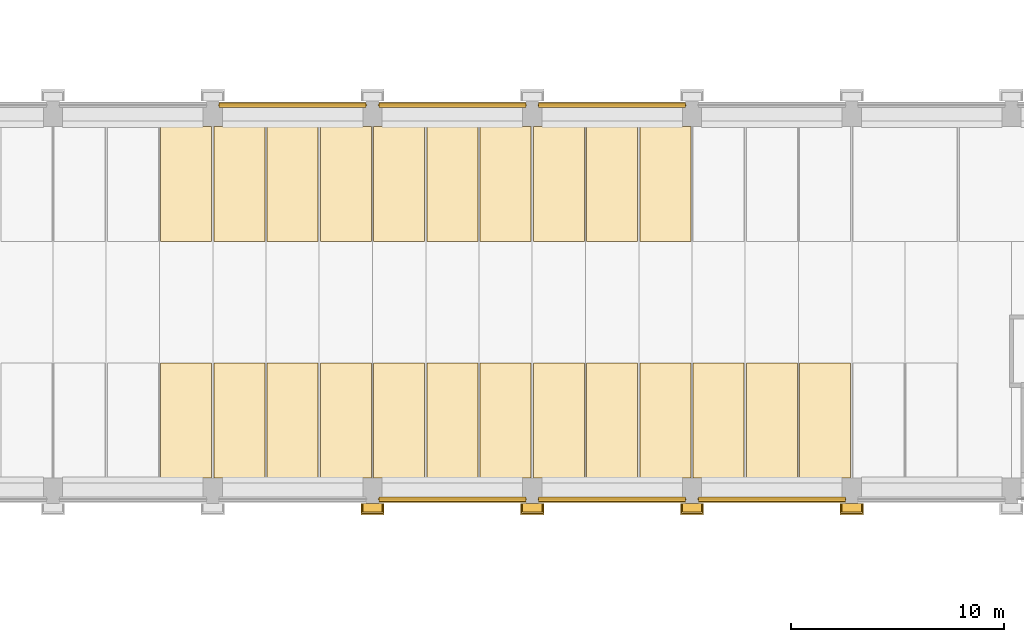
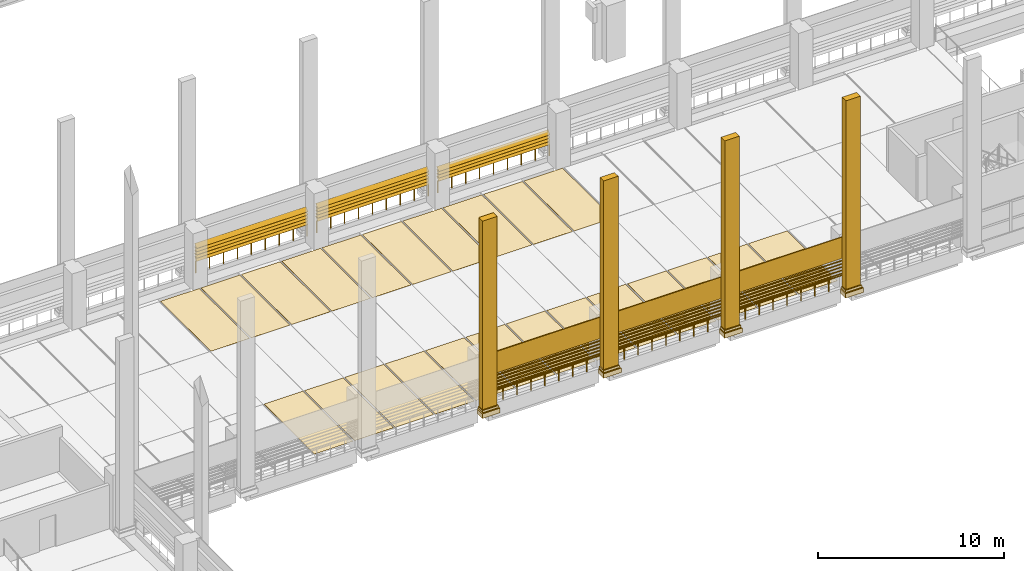
# One storey, part 48 of 67: 38 coverings, 29 shading devices, 6 railings.
"""IFC4 building model written with IfcOpenShell, lengths in metres."""

from ifc_helpers import new_model, si_unit, direction, frame, origin, origin_2d, place, context, subcontext, project, spatial, polyline, circle, outline, extrude, material, layer, layer_set, type_object, element, save


model = new_model("IFC4")

# Units and contexts
model_context = context("Model", 3, precision=1e-05, world=origin(), true_north=direction((0.0, 1.0)))
body_context = subcontext(model_context, "Body", "Model", "MODEL_VIEW")
ifc_project = project(units=[si_unit("LENGTHUNIT", "METRE"), si_unit("AREAUNIT", "SQUARE_METRE"), si_unit("VOLUMEUNIT", "CUBIC_METRE"), si_unit("PLANEANGLEUNIT", "RADIAN"), si_unit("MASSUNIT", "GRAM", prefix="KILO")], contexts=[model_context])

# Site, building, storey
site_placement = place(None, origin())
site = spatial("IfcSite", under=ifc_project, at=site_placement, CompositionType="ELEMENT")
building_placement = place(site_placement, origin())
building = spatial("IfcBuilding", under=site, at=building_placement, Name="Cour d'Honneur Mobility Palace", CompositionType="ELEMENT")
storey_placement = place(building_placement, frame((0.0, 0.0, 4.5)))
storey = spatial("IfcBuildingStorey", under=building, at=storey_placement, Name="L01", CompositionType="ELEMENT", Elevation=4.5)

# Railings
ifc_material_1 = material(Name="Painted steel", Category="steel")
railing_type = type_object("IfcRailingType", Name="Balustrade", PredefinedType="BALUSTRADE", material=ifc_material_1)
for number, where, name in (
    (1, (40.199951171875, 44.449951171875, 0.300048828125), "Balustrade BAL-12"),
    (2, (47.699951171875, 44.449951171875, 0.300048828125), "Balustrade BAL-13"),
    (3, (55.199951171875, 44.449951171875, 0.300048828125), "Balustrade BAL-14"),
):
    element("IfcRailing", number, at=place(storey_placement, frame(where)), inside=storey, type_object=railing_type, Name=name, PredefinedType="BALUSTRADE", context=body_context, shape_type="SweptSolid", body=[
        extrude(circle(Radius=0.02392578125, at=origin_2d()), frame((0.0, 0.0, 0.77587890625), z_axis=(1.0, 0.0, 0.0), x_axis=(0.0, 1.0, 0.0)), (0.0, 0.0, 1.0), 6.900146484375),
        extrude(circle(Radius=0.02099609375, at=origin_2d()), origin(), (0.0, 0.0, 1.0), 0.751953125),
        extrude(circle(Radius=0.02099609375, at=origin_2d()), frame((0.862548828125, 0.0, 0.0)), (0.0, 0.0, 1.0), 0.751953125),
        extrude(circle(Radius=0.02099609375, at=origin_2d()), frame((1.72509765625, 0.0, 0.0)), (0.0, 0.0, 1.0), 0.751953125),
        extrude(circle(Radius=0.02099609375, at=origin_2d()), frame((2.587646484375, 0.0, 0.0)), (0.0, 0.0, 1.0), 0.751953125),
        extrude(circle(Radius=0.02099609375, at=origin_2d()), frame((3.4501953125, 0.0, 0.0)), (0.0, 0.0, 1.0), 0.751953125),
        extrude(circle(Radius=0.02099609375, at=origin_2d()), frame((4.3125, 0.0, 0.0)), (0.0, 0.0, 1.0), 0.751953125),
        extrude(circle(Radius=0.02099609375, at=origin_2d()), frame((5.175048828125, 0.0, 0.0)), (0.0, 0.0, 1.0), 0.751953125),
        extrude(circle(Radius=0.02099609375, at=origin_2d()), frame((6.03759765625, 0.0, 0.0)), (0.0, 0.0, 1.0), 0.751953125),
        extrude(circle(Radius=0.02099609375, at=origin_2d()), frame((6.900146484375, 0.0, 0.0)), (0.0, 0.0, 1.0), 0.751953125),
    ])
for number, where, name in (
    (4, (54.60009765625, 62.949951171875, 0.300048828125), "Balustrade BAL-52"),
    (5, (47.10009765625, 62.949951171875, 0.300048828125), "Balustrade BAL-53"),
    (6, (39.60009765625, 62.949951171875, 0.300048828125), "Balustrade BAL-54"),
):
    element("IfcRailing", number, at=place(storey_placement, frame(where)), inside=storey, type_object=railing_type, Name=name, PredefinedType="BALUSTRADE", context=body_context, shape_type="SweptSolid", body=[
        extrude(circle(Radius=0.02392578125, at=origin_2d()), frame((0.0, 0.0, 0.77587890625), z_axis=(-1.0, 0.0, 0.0), x_axis=(0.0, -1.0, 0.0)), (0.0, 0.0, 1.0), 6.900146484375),
        extrude(circle(Radius=0.02099609375, at=origin_2d()), origin(), (0.0, 0.0, 1.0), 0.751953125),
        extrude(circle(Radius=0.02099609375, at=origin_2d()), frame((-0.862548828125, 0.0, 0.0)), (0.0, 0.0, 1.0), 0.751953125),
        extrude(circle(Radius=0.02099609375, at=origin_2d()), frame((-1.72509765625, 0.0, 0.0)), (0.0, 0.0, 1.0), 0.751953125),
        extrude(circle(Radius=0.02099609375, at=origin_2d()), frame((-2.587646484375, 0.0, 0.0)), (0.0, 0.0, 1.0), 0.751953125),
        extrude(circle(Radius=0.02099609375, at=origin_2d()), frame((-3.4501953125, 0.0, 0.0)), (0.0, 0.0, 1.0), 0.751953125),
        extrude(circle(Radius=0.02099609375, at=origin_2d()), frame((-4.3125, 0.0, 0.0)), (0.0, 0.0, 1.0), 0.751953125),
        extrude(circle(Radius=0.02099609375, at=origin_2d()), frame((-5.175048828125, 0.0, 0.0)), (0.0, 0.0, 1.0), 0.751953125),
        extrude(circle(Radius=0.02099609375, at=origin_2d()), frame((-6.03759765625, 0.0, 0.0)), (0.0, 0.0, 1.0), 0.751953125),
        extrude(circle(Radius=0.02099609375, at=origin_2d()), frame((-6.900146484375, 0.0, 0.0)), (0.0, 0.0, 1.0), 0.751953125),
    ])

# Coverings
ifc_material_2 = material(Name="Parking marking paint")
ifc_layer_1 = layer(ifc_material_2, 0.0048828125)
ifc_layer_set_1 = layer_set([ifc_layer_1], Name="Parking marking paint")
covering_type_1 = type_object("IfcCoveringType", Name="Parking bay marking", PredefinedType="FLOORING", material=ifc_layer_set_1)
covering_1_placement = place(storey_placement, origin())
element("IfcCovering", 7, at=covering_1_placement, inside=storey, type_object=covering_type_1, Name="Parking bay marking L01 2", PredefinedType="FLOORING", context=body_context, shape_type="SweptSolid", body=[
    extrude(outline(polyline([(42.35009765625, 56.550048828125), (39.949951171875, 56.550048828125), (39.949951171875, 61.949951171875), (42.35009765625, 61.949951171875), (42.35009765625, 56.550048828125)])), origin(), (0.0, 0.0, 1.0), 0.0048828125),
])
covering_2_placement = place(storey_placement, origin())
element("IfcCovering", 8, at=covering_2_placement, inside=storey, type_object=covering_type_1, Name="Parking bay marking L01 3", PredefinedType="FLOORING", context=body_context, shape_type="SweptSolid", body=[
    extrude(outline(polyline([(44.85009765625, 56.550048828125), (42.449951171875, 56.550048828125), (42.449951171875, 61.949951171875), (44.85009765625, 61.949951171875), (44.85009765625, 56.550048828125)])), origin(), (0.0, 0.0, 1.0), 0.0048828125),
])
covering_3_placement = place(storey_placement, origin())
element("IfcCovering", 9, at=covering_3_placement, inside=storey, type_object=covering_type_1, Name="Parking bay marking L01 4", PredefinedType="FLOORING", context=body_context, shape_type="SweptSolid", body=[
    extrude(outline(polyline([(47.35009765625, 56.550048828125), (44.949951171875, 56.550048828125), (44.949951171875, 61.949951171875), (47.35009765625, 61.949951171875), (47.35009765625, 56.550048828125)])), origin(), (0.0, 0.0, 1.0), 0.0048828125),
])
covering_4_placement = place(storey_placement, origin())
element("IfcCovering", 10, at=covering_4_placement, inside=storey, type_object=covering_type_1, Name="Parking bay marking L01 5", PredefinedType="FLOORING", context=body_context, shape_type="SweptSolid", body=[
    extrude(outline(polyline([(49.85009765625, 56.550048828125), (47.449951171875, 56.550048828125), (47.449951171875, 61.949951171875), (49.85009765625, 61.949951171875), (49.85009765625, 56.550048828125)])), origin(), (0.0, 0.0, 1.0), 0.0048828125),
])
covering_5_placement = place(storey_placement, origin())
element("IfcCovering", 11, at=covering_5_placement, inside=storey, type_object=covering_type_1, Name="Parking bay marking L01 6", PredefinedType="FLOORING", context=body_context, shape_type="SweptSolid", body=[
    extrude(outline(polyline([(52.35009765625, 56.550048828125), (49.949951171875, 56.550048828125), (49.949951171875, 61.949951171875), (52.35009765625, 61.949951171875), (52.35009765625, 56.550048828125)])), origin(), (0.0, 0.0, 1.0), 0.0048828125),
])
covering_6_placement = place(storey_placement, origin())
element("IfcCovering", 12, at=covering_6_placement, inside=storey, type_object=covering_type_1, Name="Parking bay marking L01 7", PredefinedType="FLOORING", context=body_context, shape_type="SweptSolid", body=[
    extrude(outline(polyline([(54.85009765625, 56.550048828125), (52.449951171875, 56.550048828125), (52.449951171875, 61.949951171875), (54.85009765625, 61.949951171875), (54.85009765625, 56.550048828125)])), origin(), (0.0, 0.0, 1.0), 0.0048828125),
])
covering_7_placement = place(storey_placement, origin())
element("IfcCovering", 13, at=covering_7_placement, inside=storey, type_object=covering_type_1, Name="Parking bay marking L01 33", PredefinedType="FLOORING", context=body_context, shape_type="SweptSolid", body=[
    extrude(outline(polyline([(32.35009765625, 56.550048828125), (29.949951171875, 56.550048828125), (29.949951171875, 61.949951171875), (32.35009765625, 61.949951171875), (32.35009765625, 56.550048828125)])), origin(), (0.0, 0.0, 1.0), 0.0048828125),
])
covering_8_placement = place(storey_placement, origin())
element("IfcCovering", 14, at=covering_8_placement, inside=storey, type_object=covering_type_1, Name="Parking bay marking L01 34", PredefinedType="FLOORING", context=body_context, shape_type="SweptSolid", body=[
    extrude(outline(polyline([(34.85009765625, 56.550048828125), (32.449951171875, 56.550048828125), (32.449951171875, 61.949951171875), (34.85009765625, 61.949951171875), (34.85009765625, 56.550048828125)])), origin(), (0.0, 0.0, 1.0), 0.0048828125),
])
covering_9_placement = place(storey_placement, origin())
element("IfcCovering", 15, at=covering_9_placement, inside=storey, type_object=covering_type_1, Name="Parking bay marking L01 35", PredefinedType="FLOORING", context=body_context, shape_type="SweptSolid", body=[
    extrude(outline(polyline([(37.35009765625, 56.550048828125), (34.949951171875, 56.550048828125), (34.949951171875, 61.949951171875), (37.35009765625, 61.949951171875), (37.35009765625, 56.550048828125)])), origin(), (0.0, 0.0, 1.0), 0.0048828125),
])
covering_10_placement = place(storey_placement, origin())
element("IfcCovering", 16, at=covering_10_placement, inside=storey, type_object=covering_type_1, Name="Parking bay marking L01 36", PredefinedType="FLOORING", context=body_context, shape_type="SweptSolid", body=[
    extrude(outline(polyline([(39.85009765625, 56.550048828125), (37.449951171875, 56.550048828125), (37.449951171875, 61.949951171875), (39.85009765625, 61.949951171875), (39.85009765625, 56.550048828125)])), origin(), (0.0, 0.0, 1.0), 0.0048828125),
])
covering_11_placement = place(storey_placement, origin())
element("IfcCovering", 17, at=covering_11_placement, inside=storey, type_object=covering_type_1, Name="Parking bay marking L01 37", PredefinedType="FLOORING", context=body_context, shape_type="SweptSolid", body=[
    extrude(outline(polyline([(42.35009765625, 45.449951171875), (39.949951171875, 45.449951171875), (39.949951171875, 50.85009765625), (42.35009765625, 50.85009765625), (42.35009765625, 45.449951171875)])), origin(), (0.0, 0.0, 1.0), 0.0048828125),
])
covering_12_placement = place(storey_placement, origin())
element("IfcCovering", 18, at=covering_12_placement, inside=storey, type_object=covering_type_1, Name="Parking bay marking L01 38", PredefinedType="FLOORING", context=body_context, shape_type="SweptSolid", body=[
    extrude(outline(polyline([(44.85009765625, 45.449951171875), (42.449951171875, 45.449951171875), (42.449951171875, 50.85009765625), (44.85009765625, 50.85009765625), (44.85009765625, 45.449951171875)])), origin(), (0.0, 0.0, 1.0), 0.0048828125),
])
covering_13_placement = place(storey_placement, origin())
element("IfcCovering", 19, at=covering_13_placement, inside=storey, type_object=covering_type_1, Name="Parking bay marking L01 39", PredefinedType="FLOORING", context=body_context, shape_type="SweptSolid", body=[
    extrude(outline(polyline([(47.35009765625, 45.449951171875), (44.949951171875, 45.449951171875), (44.949951171875, 50.85009765625), (47.35009765625, 50.85009765625), (47.35009765625, 45.449951171875)])), origin(), (0.0, 0.0, 1.0), 0.0048828125),
])
covering_14_placement = place(storey_placement, origin())
element("IfcCovering", 20, at=covering_14_placement, inside=storey, type_object=covering_type_1, Name="Parking bay marking L01 40", PredefinedType="FLOORING", context=body_context, shape_type="SweptSolid", body=[
    extrude(outline(polyline([(49.85009765625, 45.449951171875), (47.449951171875, 45.449951171875), (47.449951171875, 50.85009765625), (49.85009765625, 50.85009765625), (49.85009765625, 45.449951171875)])), origin(), (0.0, 0.0, 1.0), 0.0048828125),
])
covering_15_placement = place(storey_placement, origin())
element("IfcCovering", 21, at=covering_15_placement, inside=storey, type_object=covering_type_1, Name="Parking bay marking L01 41", PredefinedType="FLOORING", context=body_context, shape_type="SweptSolid", body=[
    extrude(outline(polyline([(52.35009765625, 45.449951171875), (49.949951171875, 45.449951171875), (49.949951171875, 50.85009765625), (52.35009765625, 50.85009765625), (52.35009765625, 45.449951171875)])), origin(), (0.0, 0.0, 1.0), 0.0048828125),
])
covering_16_placement = place(storey_placement, origin())
element("IfcCovering", 22, at=covering_16_placement, inside=storey, type_object=covering_type_1, Name="Parking bay marking L01 42", PredefinedType="FLOORING", context=body_context, shape_type="SweptSolid", body=[
    extrude(outline(polyline([(54.85009765625, 45.449951171875), (52.449951171875, 45.449951171875), (52.449951171875, 50.85009765625), (54.85009765625, 50.85009765625), (54.85009765625, 45.449951171875)])), origin(), (0.0, 0.0, 1.0), 0.0048828125),
])
covering_17_placement = place(storey_placement, origin())
element("IfcCovering", 23, at=covering_17_placement, inside=storey, type_object=covering_type_1, Name="Parking bay marking L01 43", PredefinedType="FLOORING", context=body_context, shape_type="SweptSolid", body=[
    extrude(outline(polyline([(57.35009765625, 45.449951171875), (54.949951171875, 45.449951171875), (54.949951171875, 50.85009765625), (57.35009765625, 50.85009765625), (57.35009765625, 45.449951171875)])), origin(), (0.0, 0.0, 1.0), 0.0048828125),
])
covering_18_placement = place(storey_placement, origin())
element("IfcCovering", 24, at=covering_18_placement, inside=storey, type_object=covering_type_1, Name="Parking bay marking L01 44", PredefinedType="FLOORING", context=body_context, shape_type="SweptSolid", body=[
    extrude(outline(polyline([(59.85009765625, 45.449951171875), (57.449951171875, 45.449951171875), (57.449951171875, 50.85009765625), (59.85009765625, 50.85009765625), (59.85009765625, 45.449951171875)])), origin(), (0.0, 0.0, 1.0), 0.0048828125),
])
covering_19_placement = place(storey_placement, origin())
element("IfcCovering", 25, at=covering_19_placement, inside=storey, type_object=covering_type_1, Name="Parking bay marking L01 45", PredefinedType="FLOORING", context=body_context, shape_type="SweptSolid", body=[
    extrude(outline(polyline([(62.35009765625, 45.449951171875), (59.949951171875, 45.449951171875), (59.949951171875, 50.85009765625), (62.35009765625, 50.85009765625), (62.35009765625, 45.449951171875)])), origin(), (0.0, 0.0, 1.0), 0.0048828125),
])
covering_20_placement = place(storey_placement, origin())
element("IfcCovering", 26, at=covering_20_placement, inside=storey, type_object=covering_type_1, Name="Parking bay marking L01 71", PredefinedType="FLOORING", context=body_context, shape_type="SweptSolid", body=[
    extrude(outline(polyline([(32.35009765625, 45.449951171875), (29.949951171875, 45.449951171875), (29.949951171875, 50.85009765625), (32.35009765625, 50.85009765625), (32.35009765625, 45.449951171875)])), origin(), (0.0, 0.0, 1.0), 0.0048828125),
])
covering_21_placement = place(storey_placement, origin())
element("IfcCovering", 27, at=covering_21_placement, inside=storey, type_object=covering_type_1, Name="Parking bay marking L01 72", PredefinedType="FLOORING", context=body_context, shape_type="SweptSolid", body=[
    extrude(outline(polyline([(34.85009765625, 45.449951171875), (32.449951171875, 45.449951171875), (32.449951171875, 50.85009765625), (34.85009765625, 50.85009765625), (34.85009765625, 45.449951171875)])), origin(), (0.0, 0.0, 1.0), 0.0048828125),
])
covering_22_placement = place(storey_placement, origin())
element("IfcCovering", 28, at=covering_22_placement, inside=storey, type_object=covering_type_1, Name="Parking bay marking L01 73", PredefinedType="FLOORING", context=body_context, shape_type="SweptSolid", body=[
    extrude(outline(polyline([(37.35009765625, 45.449951171875), (34.949951171875, 45.449951171875), (34.949951171875, 50.85009765625), (37.35009765625, 50.85009765625), (37.35009765625, 45.449951171875)])), origin(), (0.0, 0.0, 1.0), 0.0048828125),
])
covering_23_placement = place(storey_placement, origin())
element("IfcCovering", 29, at=covering_23_placement, inside=storey, type_object=covering_type_1, Name="Parking bay marking L01 74", PredefinedType="FLOORING", context=body_context, shape_type="SweptSolid", body=[
    extrude(outline(polyline([(39.85009765625, 45.449951171875), (37.449951171875, 45.449951171875), (37.449951171875, 50.85009765625), (39.85009765625, 50.85009765625), (39.85009765625, 45.449951171875)])), origin(), (0.0, 0.0, 1.0), 0.0048828125),
])
ifc_material_3 = material(Name="Cast limestone", Category="masonry")
ifc_layer_2 = layer(ifc_material_3, 0.14990234375)
ifc_layer_set_2 = layer_set([ifc_layer_2], Name="Cast limestone")
covering_type_2 = type_object("IfcCoveringType", Name="Pilaster base", PredefinedType="CLADDING", material=ifc_layer_set_2)
covering_24_placement = place(storey_placement, frame((0.0, 0.0, 0.10009765625)))
element("IfcCovering", 30, at=covering_24_placement, inside=storey, type_object=covering_type_2, Name="Pilaster base PB-25", PredefinedType="CLADDING", context=body_context, shape_type="SweptSolid", body=[
    extrude(outline(polyline([(39.35009765625, 44.25), (40.449951171875, 44.25), (40.449951171875, 43.699951171875), (39.35009765625, 43.699951171875), (39.35009765625, 44.25)])), origin(), (0.0, 0.0, 1.0), 0.2998046875),
])
covering_25_placement = place(storey_placement, frame((0.0, 0.0, 0.39990234375)))
element("IfcCovering", 31, at=covering_25_placement, inside=storey, type_object=covering_type_2, Name="Pilaster base PB-26", PredefinedType="CLADDING", context=body_context, shape_type="SweptSolid", body=[
    extrude(outline(polyline([(39.39990234375, 44.25), (40.39990234375, 44.25), (40.39990234375, 43.780029296875), (39.39990234375, 43.780029296875), (39.39990234375, 44.25)])), origin(), (0.0, 0.0, 1.0), 0.150146484375),
])
covering_26_placement = place(storey_placement, frame((0.0, 0.0, 0.10009765625)))
element("IfcCovering", 32, at=covering_26_placement, inside=storey, type_object=covering_type_2, Name="Pilaster base PB-27", PredefinedType="CLADDING", context=body_context, shape_type="SweptSolid", body=[
    extrude(outline(polyline([(46.85009765625, 44.25), (47.949951171875, 44.25), (47.949951171875, 43.699951171875), (46.85009765625, 43.699951171875), (46.85009765625, 44.25)])), origin(), (0.0, 0.0, 1.0), 0.2998046875),
])
covering_27_placement = place(storey_placement, frame((0.0, 0.0, 0.39990234375)))
element("IfcCovering", 33, at=covering_27_placement, inside=storey, type_object=covering_type_2, Name="Pilaster base PB-28", PredefinedType="CLADDING", context=body_context, shape_type="SweptSolid", body=[
    extrude(outline(polyline([(46.89990234375, 44.25), (47.89990234375, 44.25), (47.89990234375, 43.780029296875), (46.89990234375, 43.780029296875), (46.89990234375, 44.25)])), origin(), (0.0, 0.0, 1.0), 0.150146484375),
])
covering_28_placement = place(storey_placement, frame((0.0, 0.0, 0.10009765625)))
element("IfcCovering", 34, at=covering_28_placement, inside=storey, type_object=covering_type_2, Name="Pilaster base PB-29", PredefinedType="CLADDING", context=body_context, shape_type="SweptSolid", body=[
    extrude(outline(polyline([(54.35009765625, 44.25), (55.449951171875, 44.25), (55.449951171875, 43.699951171875), (54.35009765625, 43.699951171875), (54.35009765625, 44.25)])), origin(), (0.0, 0.0, 1.0), 0.2998046875),
])
covering_29_placement = place(storey_placement, frame((0.0, 0.0, 0.39990234375)))
element("IfcCovering", 35, at=covering_29_placement, inside=storey, type_object=covering_type_2, Name="Pilaster base PB-30", PredefinedType="CLADDING", context=body_context, shape_type="SweptSolid", body=[
    extrude(outline(polyline([(54.39990234375, 44.25), (55.39990234375, 44.25), (55.39990234375, 43.780029296875), (54.39990234375, 43.780029296875), (54.39990234375, 44.25)])), origin(), (0.0, 0.0, 1.0), 0.150146484375),
])
covering_30_placement = place(storey_placement, frame((0.0, 0.0, 0.10009765625)))
element("IfcCovering", 36, at=covering_30_placement, inside=storey, type_object=covering_type_2, Name="Pilaster base PB-31", PredefinedType="CLADDING", context=body_context, shape_type="SweptSolid", body=[
    extrude(outline(polyline([(61.85009765625, 44.25), (62.949951171875, 44.25), (62.949951171875, 43.699951171875), (61.85009765625, 43.699951171875), (61.85009765625, 44.25)])), origin(), (0.0, 0.0, 1.0), 0.2998046875),
])
covering_31_placement = place(storey_placement, frame((0.0, 0.0, 0.39990234375)))
element("IfcCovering", 37, at=covering_31_placement, inside=storey, type_object=covering_type_2, Name="Pilaster base PB-32", PredefinedType="CLADDING", context=body_context, shape_type="SweptSolid", body=[
    extrude(outline(polyline([(61.89990234375, 44.25), (62.89990234375, 44.25), (62.89990234375, 43.780029296875), (61.89990234375, 43.780029296875), (61.89990234375, 44.25)])), origin(), (0.0, 0.0, 1.0), 0.150146484375),
])
ifc_material_4 = material(Name="Cast limestone", Category="masonry")
ifc_layer_3 = layer(ifc_material_4, 0.39990234375)
ifc_layer_set_3 = layer_set([ifc_layer_3], Name="Cast limestone")
covering_type_3 = type_object("IfcCoveringType", Name="Pilaster shaft", PredefinedType="CLADDING", material=ifc_layer_set_3)
covering_32_placement = place(storey_placement, frame((0.0, 0.0, 0.550048828125)))
element("IfcCovering", 38, at=covering_32_placement, inside=storey, type_object=covering_type_3, Name="Pilaster shaft PS-13", PredefinedType="CLADDING", context=body_context, shape_type="SweptSolid", body=[
    extrude(outline(polyline([(39.449951171875, 44.25), (40.35009765625, 44.25), (40.35009765625, 43.85009765625), (39.449951171875, 43.85009765625), (39.449951171875, 44.25)])), origin(), (0.0, 0.0, 1.0), 12.349853515625),
])
covering_33_placement = place(storey_placement, frame((0.0, 0.0, 0.550048828125)))
element("IfcCovering", 39, at=covering_33_placement, inside=storey, type_object=covering_type_3, Name="Pilaster shaft PS-14", PredefinedType="CLADDING", context=body_context, shape_type="SweptSolid", body=[
    extrude(outline(polyline([(46.949951171875, 44.25), (47.85009765625, 44.25), (47.85009765625, 43.85009765625), (46.949951171875, 43.85009765625), (46.949951171875, 44.25)])), origin(), (0.0, 0.0, 1.0), 12.349853515625),
])
covering_34_placement = place(storey_placement, frame((0.0, 0.0, 0.550048828125)))
element("IfcCovering", 40, at=covering_34_placement, inside=storey, type_object=covering_type_3, Name="Pilaster shaft PS-15", PredefinedType="CLADDING", context=body_context, shape_type="SweptSolid", body=[
    extrude(outline(polyline([(54.449951171875, 44.25), (55.35009765625, 44.25), (55.35009765625, 43.85009765625), (54.449951171875, 43.85009765625), (54.449951171875, 44.25)])), origin(), (0.0, 0.0, 1.0), 12.349853515625),
])
covering_35_placement = place(storey_placement, frame((0.0, 0.0, 0.550048828125)))
element("IfcCovering", 41, at=covering_35_placement, inside=storey, type_object=covering_type_3, Name="Pilaster shaft PS-16", PredefinedType="CLADDING", context=body_context, shape_type="SweptSolid", body=[
    extrude(outline(polyline([(61.949951171875, 44.25), (62.85009765625, 44.25), (62.85009765625, 43.85009765625), (61.949951171875, 43.85009765625), (61.949951171875, 44.25)])), origin(), (0.0, 0.0, 1.0), 12.349853515625),
])
ifc_material_5 = material(Name="Cast limestone", Category="masonry")
ifc_layer_4 = layer(ifc_material_5, 0.25)
ifc_layer_set_4 = layer_set([ifc_layer_4], Name="Cast limestone")
covering_type_4 = type_object("IfcCoveringType", Name="Spandrel cladding", PredefinedType="CLADDING", material=ifc_layer_set_4)
for number, where, z_axis, x_axis, name in (
    (42, (40.199951171875, 44.550048828125, 2.300048828125), (-1.0, 0.0, 0.0), (0.0, -1.0, 0.0), "Spandrel cladding SK-77"),
    (43, (47.699951171875, 44.550048828125, 2.300048828125), (-1.0, 0.0, 0.0), (0.0, -1.0, 0.0), "Spandrel cladding SK-78"),
    (44, (55.199951171875, 44.550048828125, 2.300048828125), (-1.0, 0.0, 0.0), (0.0, -1.0, 0.0), "Spandrel cladding SK-79"),
):
    element("IfcCovering", number, at=place(storey_placement, frame(where, z_axis=z_axis, x_axis=x_axis)), inside=storey, type_object=covering_type_4, Name=name, PredefinedType="CLADDING", context=body_context, shape_type="SweptSolid", body=[
        extrude(outline(polyline([(0.0, 0.0), (0.25, 0.0), (0.25, 1.39990234375), (0.199951171875, 1.39990234375), (0.199951171875, 0.800048828125), (0.0, 0.800048828125), (0.0, 0.0)])), origin(), (0.0, 0.0, -1.0), 6.89990234375),
    ])

# Shading devices
ifc_material_6 = material(Name="Terracotta", Category="masonry")
ifc_layer_5 = layer(ifc_material_6, 0.02490234375)
ifc_layer_set_5 = layer_set([ifc_layer_5], Name="Terracotta")
shading_device_type = type_object("IfcShadingDeviceType", Name="Terracotta louvre blade", PredefinedType="JALOUSIE", material=ifc_layer_set_5)
shading_device_1_placement = place(storey_placement, frame((40.199951171875, 44.55615234375, 1.10009765625), z_axis=(0.0, 0.706699578995, 0.707513749017), x_axis=(1.0, 0.0, 0.0)))
element("IfcShadingDevice", 45, at=shading_device_1_placement, inside=storey, type_object=shading_device_type, Name="Louvre blade LV-1 S2.3 L01 1", PredefinedType="JALOUSIE", context=body_context, shape_type="SweptSolid", body=[
    extrude(outline(polyline([(0.0, 0.0), (6.900146484375, 0.0), (6.900146484375, -0.29986442442957895), (0.0, -0.29986442442957895), (0.0, 0.0)])), origin(), (0.0, 0.0, -1.0), 0.02490234375),
])
for number, where, z_axis, x_axis, name in (
    (46, (40.199951171875, 44.55615234375, 1.31201171875), (0.0, 0.707106781187, 0.707106781187), (1.0, 0.0, 0.0), "Louvre blade LV-1 S2.3 L01 2"),
    (47, (40.199951171875, 44.55615234375, 1.524169921875), (0.0, 0.707106781187, 0.707106781187), (1.0, 0.0, 0.0), "Louvre blade LV-1 S2.3 L01 3"),
    (48, (40.199951171875, 44.55615234375, 1.736328125), (0.0, 0.707106781187, 0.707106781187), (1.0, 0.0, 0.0), "Louvre blade LV-1 S2.3 L01 4"),
    (49, (40.199951171875, 44.55615234375, 1.948486328125), (0.0, 0.707106781187, 0.707106781187), (1.0, 0.0, 0.0), "Louvre blade LV-1 S2.3 L01 5"),
):
    element("IfcShadingDevice", number, at=place(storey_placement, frame(where, z_axis=z_axis, x_axis=x_axis)), inside=storey, type_object=shading_device_type, Name=name, PredefinedType="JALOUSIE", context=body_context, shape_type="SweptSolid", body=[
        extrude(outline(polyline([(0.0, 0.0), (6.900146484375, 0.0), (6.900146484375, -0.300037008228081), (0.0, -0.300037008228081), (0.0, 0.0)])), origin(), (0.0, 0.0, -1.0), 0.02490234375),
    ])
shading_device_2_placement = place(storey_placement, frame((47.699951171875, 44.55615234375, 1.10009765625), z_axis=(0.0, 0.706699578995, 0.707513749017), x_axis=(1.0, 0.0, 0.0)))
element("IfcShadingDevice", 50, at=shading_device_2_placement, inside=storey, type_object=shading_device_type, Name="Louvre blade LV-1 S2.4 L01 1", PredefinedType="JALOUSIE", context=body_context, shape_type="SweptSolid", body=[
    extrude(outline(polyline([(0.0, 0.0), (6.900146484375, 0.0), (6.900146484375, -0.29986442442957895), (0.0, -0.29986442442957895), (0.0, 0.0)])), origin(), (0.0, 0.0, -1.0), 0.02490234375),
])
for number, where, z_axis, x_axis, name in (
    (51, (47.699951171875, 44.55615234375, 1.31201171875), (0.0, 0.707106781187, 0.707106781187), (1.0, 0.0, 0.0), "Louvre blade LV-1 S2.4 L01 2"),
    (52, (47.699951171875, 44.55615234375, 1.524169921875), (0.0, 0.707106781187, 0.707106781187), (1.0, 0.0, 0.0), "Louvre blade LV-1 S2.4 L01 3"),
    (53, (47.699951171875, 44.55615234375, 1.736328125), (0.0, 0.707106781187, 0.707106781187), (1.0, 0.0, 0.0), "Louvre blade LV-1 S2.4 L01 4"),
    (54, (47.699951171875, 44.55615234375, 1.948486328125), (0.0, 0.707106781187, 0.707106781187), (1.0, 0.0, 0.0), "Louvre blade LV-1 S2.4 L01 5"),
):
    element("IfcShadingDevice", number, at=place(storey_placement, frame(where, z_axis=z_axis, x_axis=x_axis)), inside=storey, type_object=shading_device_type, Name=name, PredefinedType="JALOUSIE", context=body_context, shape_type="SweptSolid", body=[
        extrude(outline(polyline([(0.0, 0.0), (6.900146484375, 0.0), (6.900146484375, -0.300037008228081), (0.0, -0.300037008228081), (0.0, 0.0)])), origin(), (0.0, 0.0, -1.0), 0.02490234375),
    ])
shading_device_3_placement = place(storey_placement, frame((55.199951171875, 44.55615234375, 1.10009765625), z_axis=(0.0, 0.706699578995, 0.707513749017), x_axis=(1.0, 0.0, 0.0)))
element("IfcShadingDevice", 55, at=shading_device_3_placement, inside=storey, type_object=shading_device_type, Name="Louvre blade LV-1 S2.5 L01 1", PredefinedType="JALOUSIE", context=body_context, shape_type="SweptSolid", body=[
    extrude(outline(polyline([(0.0, 0.0), (6.900146484375, 0.0), (6.900146484375, -0.29986442442957895), (0.0, -0.29986442442957895), (0.0, 0.0)])), origin(), (0.0, 0.0, -1.0), 0.02490234375),
])
for number, where, z_axis, x_axis, name in (
    (56, (55.199951171875, 44.55615234375, 1.31201171875), (0.0, 0.707106781187, 0.707106781187), (1.0, 0.0, 0.0), "Louvre blade LV-1 S2.5 L01 2"),
    (57, (55.199951171875, 44.55615234375, 1.524169921875), (0.0, 0.707106781187, 0.707106781187), (1.0, 0.0, 0.0), "Louvre blade LV-1 S2.5 L01 3"),
    (58, (55.199951171875, 44.55615234375, 1.736328125), (0.0, 0.707106781187, 0.707106781187), (1.0, 0.0, 0.0), "Louvre blade LV-1 S2.5 L01 4"),
    (59, (55.199951171875, 44.55615234375, 1.948486328125), (0.0, 0.707106781187, 0.707106781187), (1.0, 0.0, 0.0), "Louvre blade LV-1 S2.5 L01 5"),
):
    element("IfcShadingDevice", number, at=place(storey_placement, frame(where, z_axis=z_axis, x_axis=x_axis)), inside=storey, type_object=shading_device_type, Name=name, PredefinedType="JALOUSIE", context=body_context, shape_type="SweptSolid", body=[
        extrude(outline(polyline([(0.0, 0.0), (6.900146484375, 0.0), (6.900146484375, -0.300037008228081), (0.0, -0.300037008228081), (0.0, 0.0)])), origin(), (0.0, 0.0, -1.0), 0.02490234375),
    ])
shading_device_4_placement = place(storey_placement, frame((54.60009765625, 62.843994140625, 1.10009765625), z_axis=(0.0, -0.706699578995, 0.707513749017), x_axis=(-1.0, 0.0, 0.0)))
element("IfcShadingDevice", 60, at=shading_device_4_placement, inside=storey, type_object=shading_device_type, Name="Louvre blade LV-1 N8.12 L01 1", PredefinedType="JALOUSIE", context=body_context, shape_type="SweptSolid", body=[
    extrude(outline(polyline([(0.0, 0.0), (6.900146484375, 0.0), (6.900146484375, -0.29986442442957895), (0.0, -0.29986442442957895), (0.0, 0.0)])), origin(), (0.0, 0.0, -1.0), 0.02490234375),
])
for number, where, z_axis, x_axis, name in (
    (61, (54.60009765625, 62.843994140625, 1.31201171875), (0.0, -0.707106781187, 0.707106781187), (-1.0, 0.0, 0.0), "Louvre blade LV-1 N8.12 L01 2"),
    (62, (54.60009765625, 62.843994140625, 1.524169921875), (0.0, -0.707106781187, 0.707106781187), (-1.0, 0.0, 0.0), "Louvre blade LV-1 N8.12 L01 3"),
    (63, (54.60009765625, 62.843994140625, 1.736328125), (0.0, -0.707106781187, 0.707106781187), (-1.0, 0.0, 0.0), "Louvre blade LV-1 N8.12 L01 4"),
):
    element("IfcShadingDevice", number, at=place(storey_placement, frame(where, z_axis=z_axis, x_axis=x_axis)), inside=storey, type_object=shading_device_type, Name=name, PredefinedType="JALOUSIE", context=body_context, shape_type="SweptSolid", body=[
        extrude(outline(polyline([(0.0, 0.0), (6.900146484375, 0.0), (6.900146484375, -0.300037008228081), (0.0, -0.300037008228081), (0.0, 0.0)])), origin(), (0.0, 0.0, -1.0), 0.02490234375),
    ])
shading_device_5_placement = place(storey_placement, frame((47.10009765625, 62.843994140625, 1.10009765625), z_axis=(0.0, -0.706699578995, 0.707513749017), x_axis=(-1.0, 0.0, 0.0)))
element("IfcShadingDevice", 64, at=shading_device_5_placement, inside=storey, type_object=shading_device_type, Name="Louvre blade LV-1 N8.13 L01 1", PredefinedType="JALOUSIE", context=body_context, shape_type="SweptSolid", body=[
    extrude(outline(polyline([(0.0, 0.0), (6.900146484375, 0.0), (6.900146484375, -0.29986442442957895), (0.0, -0.29986442442957895), (0.0, 0.0)])), origin(), (0.0, 0.0, -1.0), 0.02490234375),
])
for number, where, z_axis, x_axis, name in (
    (65, (47.10009765625, 62.843994140625, 1.31201171875), (0.0, -0.707106781187, 0.707106781187), (-1.0, 0.0, 0.0), "Louvre blade LV-1 N8.13 L01 2"),
    (66, (47.10009765625, 62.843994140625, 1.524169921875), (0.0, -0.707106781187, 0.707106781187), (-1.0, 0.0, 0.0), "Louvre blade LV-1 N8.13 L01 3"),
    (67, (47.10009765625, 62.843994140625, 1.736328125), (0.0, -0.707106781187, 0.707106781187), (-1.0, 0.0, 0.0), "Louvre blade LV-1 N8.13 L01 4"),
    (68, (47.10009765625, 62.843994140625, 1.948486328125), (0.0, -0.707106781187, 0.707106781187), (-1.0, 0.0, 0.0), "Louvre blade LV-1 N8.13 L01 5"),
):
    element("IfcShadingDevice", number, at=place(storey_placement, frame(where, z_axis=z_axis, x_axis=x_axis)), inside=storey, type_object=shading_device_type, Name=name, PredefinedType="JALOUSIE", context=body_context, shape_type="SweptSolid", body=[
        extrude(outline(polyline([(0.0, 0.0), (6.900146484375, 0.0), (6.900146484375, -0.300037008228081), (0.0, -0.300037008228081), (0.0, 0.0)])), origin(), (0.0, 0.0, -1.0), 0.02490234375),
    ])
shading_device_6_placement = place(storey_placement, frame((39.60009765625, 62.843994140625, 1.10009765625), z_axis=(0.0, -0.706699578995, 0.707513749017), x_axis=(-1.0, 0.0, 0.0)))
element("IfcShadingDevice", 69, at=shading_device_6_placement, inside=storey, type_object=shading_device_type, Name="Louvre blade LV-1 N8.14 L01 1", PredefinedType="JALOUSIE", context=body_context, shape_type="SweptSolid", body=[
    extrude(outline(polyline([(0.0, 0.0), (6.900146484375, 0.0), (6.900146484375, -0.29986442442957895), (0.0, -0.29986442442957895), (0.0, 0.0)])), origin(), (0.0, 0.0, -1.0), 0.02490234375),
])
for number, where, z_axis, x_axis, name in (
    (70, (39.60009765625, 62.843994140625, 1.31201171875), (0.0, -0.707106781187, 0.707106781187), (-1.0, 0.0, 0.0), "Louvre blade LV-1 N8.14 L01 2"),
    (71, (39.60009765625, 62.843994140625, 1.524169921875), (0.0, -0.707106781187, 0.707106781187), (-1.0, 0.0, 0.0), "Louvre blade LV-1 N8.14 L01 3"),
    (72, (39.60009765625, 62.843994140625, 1.736328125), (0.0, -0.707106781187, 0.707106781187), (-1.0, 0.0, 0.0), "Louvre blade LV-1 N8.14 L01 4"),
    (73, (39.60009765625, 62.843994140625, 1.948486328125), (0.0, -0.707106781187, 0.707106781187), (-1.0, 0.0, 0.0), "Louvre blade LV-1 N8.14 L01 5"),
):
    element("IfcShadingDevice", number, at=place(storey_placement, frame(where, z_axis=z_axis, x_axis=x_axis)), inside=storey, type_object=shading_device_type, Name=name, PredefinedType="JALOUSIE", context=body_context, shape_type="SweptSolid", body=[
        extrude(outline(polyline([(0.0, 0.0), (6.900146484375, 0.0), (6.900146484375, -0.300037008228081), (0.0, -0.300037008228081), (0.0, 0.0)])), origin(), (0.0, 0.0, -1.0), 0.02490234375),
    ])

save(model, "model.ifc")
